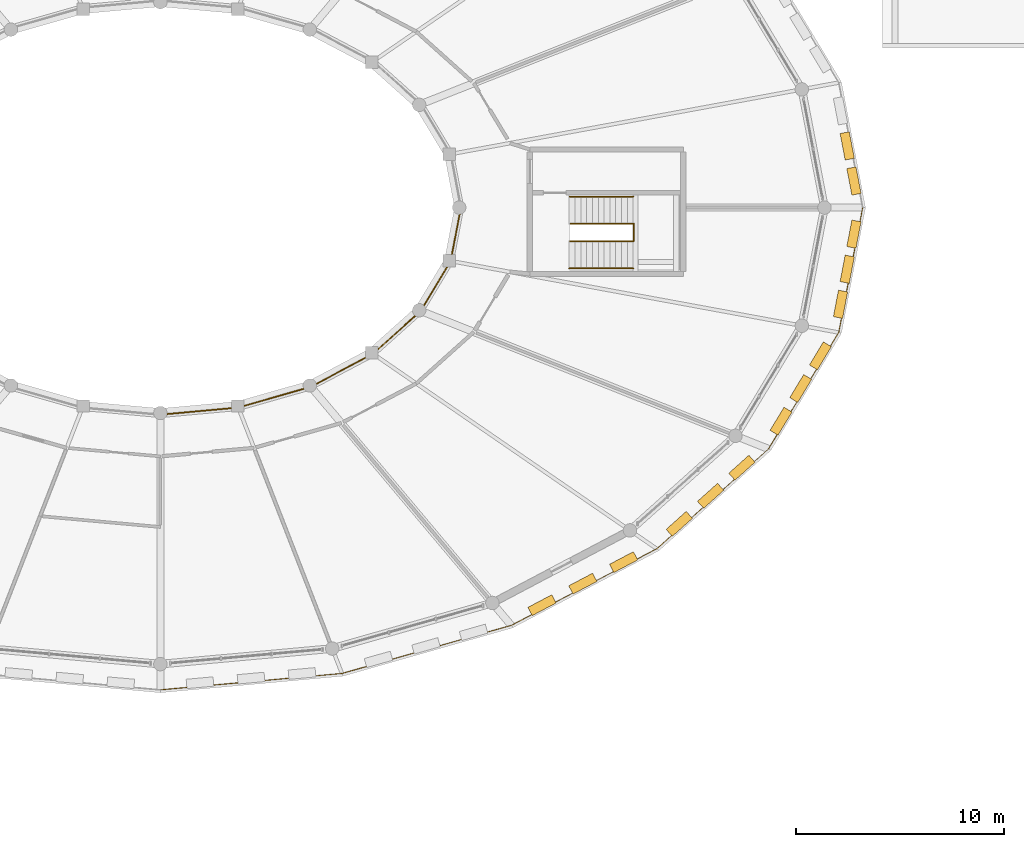
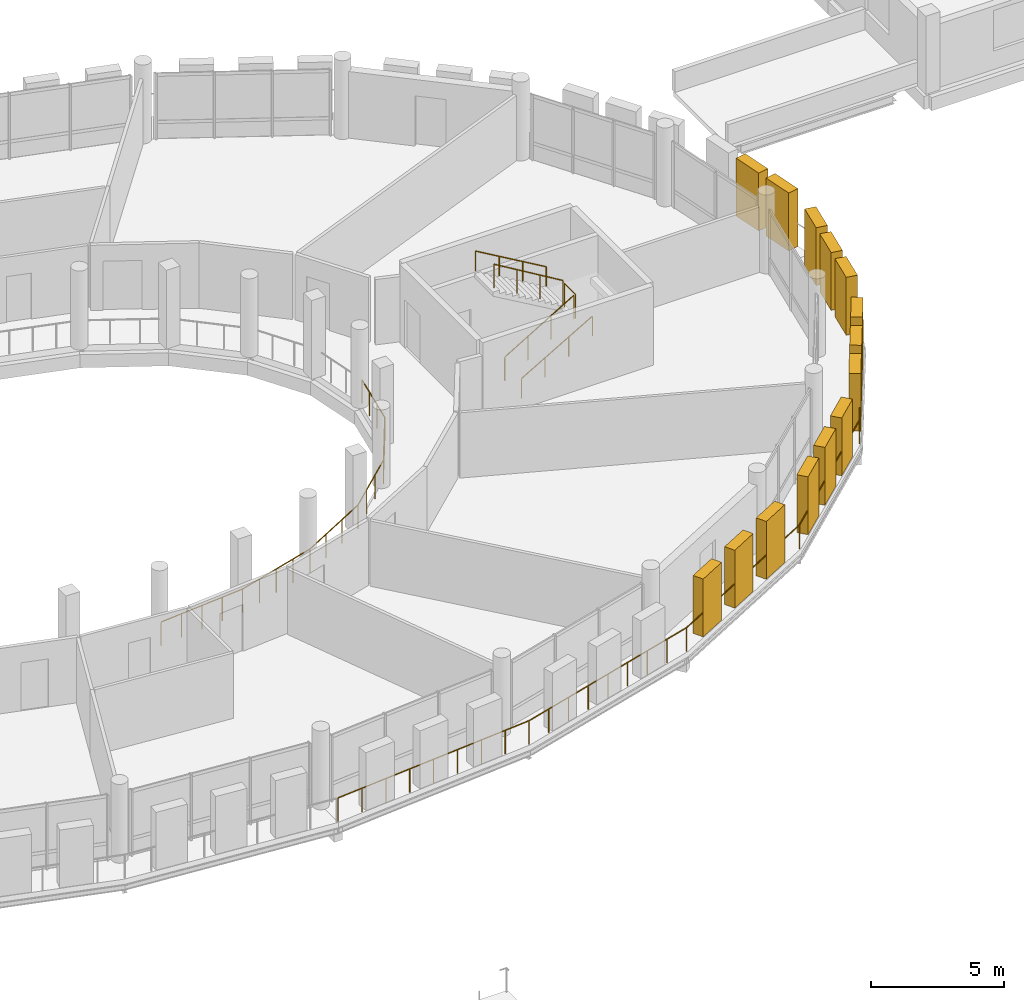
# One storey, part 89 of 93: 14 shading devices, 7 railings.
"""IFC4 building model written with IfcOpenShell, lengths in metres."""

from ifc_helpers import new_model, si_unit, direction, frame, origin, origin_2d, place, context, subcontext, project, spatial, rectangle, circle, extrude, material, type_object, element, save


model = new_model("IFC4")

# Units and contexts
model_context = context("Model", 3, precision=1e-05, world=origin(), true_north=direction((0.0, 1.0)))
body_context = subcontext(model_context, "Body", "Model", "MODEL_VIEW")
ifc_project = project(units=[si_unit("LENGTHUNIT", "METRE"), si_unit("AREAUNIT", "SQUARE_METRE"), si_unit("VOLUMEUNIT", "CUBIC_METRE"), si_unit("PLANEANGLEUNIT", "RADIAN"), si_unit("MASSUNIT", "GRAM", prefix="KILO")], contexts=[model_context])

# Site, building, storey
site_placement = place(None, origin())
site = spatial("IfcSite", under=ifc_project, at=site_placement, CompositionType="ELEMENT")
building_placement = place(site_placement, origin())
building = spatial("IfcBuilding", under=site, at=building_placement, Name="Zornivar Specialist Clinic", CompositionType="ELEMENT")
storey_placement = place(building_placement, frame((0.0, 0.0, 8.39990234375)))
storey = spatial("IfcBuildingStorey", under=building, at=storey_placement, Name="L02", CompositionType="ELEMENT", Elevation=8.39990234375)

# Railings
ifc_material_1 = material(Name="Painted Steel and Oiled Timber Balustrade", Category="steel")
railing_type_1 = type_object("IfcRailingType", Name="GRD-EXT-BALUST-1100", PredefinedType="BALUSTRADE", material=ifc_material_1)
railing_1_placement = place(storey_placement, frame((93.6298828125, 34.343017578125, 0.0)))
element("IfcRailing", 1, at=railing_1_placement, inside=storey, type_object=railing_type_1, Name="rail:V1:L02:balc:q3", PredefinedType="BALUSTRADE", context=body_context, shape_type="SweptSolid", body=[
    extrude(circle(Radius=0.02392578125, at=origin_2d()), frame((0.0, 0.0, 1.076171875), z_axis=(0.995947380316, 0.089937843218, 0.0), x_axis=(-0.089937843218, 0.995947380316, 0.0)), (0.0, 0.0, 1.0), 8.762451171875),
    extrude(circle(Radius=0.02392578125, at=origin_2d()), frame((8.72705078125, 0.7880859375, 1.076171875), z_axis=(0.961950479971, 0.273223853432, 0.0), x_axis=(-0.273223853432, 0.961950479971, 0.0)), (0.0, 0.0, 1.0), 8.487060546875),
    extrude(circle(Radius=0.02392578125, at=origin_2d()), frame((16.89111328125, 3.10693359375, 1.076171875), z_axis=(0.884811989173, 0.465948220101, 0.0), x_axis=(-0.465948220101, 0.884811989173, 0.0)), (0.0, 0.0, 1.0), 7.92822265625),
    extrude(circle(Radius=0.02392578125, at=origin_2d()), frame((23.906005859375, 6.801025390625, 1.076171875), z_axis=(0.745201542332, 0.666839306959, 0.0), x_axis=(-0.666839306959, 0.745201542332, 0.0)), (0.0, 0.0, 1.0), 7.224853515625),
    extrude(circle(Radius=0.02392578125, at=origin_2d()), frame((29.2900390625, 11.618896484375, 1.076171875), z_axis=(0.516422508188, 0.856333926127, 0.0), x_axis=(-0.856333926127, 0.516422508188, 0.0)), (0.0, 0.0, 1.0), 6.5546875),
    extrude(circle(Radius=0.02392578125, at=origin_2d()), frame((32.675048828125, 17.23193359375, 1.076171875), z_axis=(0.188227386656, 0.982125476155, 0.0), x_axis=(-0.982125476155, 0.188227386656, 0.0)), (0.0, 0.0, 1.0), 6.105224609375),
    extrude(circle(Radius=0.02099609375, at=origin_2d()), origin(), (0.0, 0.0, 1.0), 1.052001953125),
    extrude(circle(Radius=0.02099609375, at=origin_2d()), frame((1.0908203125, 0.0986328125, 0.0)), (0.0, 0.0, 1.0), 1.052001953125),
    extrude(circle(Radius=0.02099609375, at=origin_2d()), frame((2.181640625, 0.197021484375, 0.0)), (0.0, 0.0, 1.0), 1.052001953125),
    extrude(circle(Radius=0.02099609375, at=origin_2d()), frame((3.272705078125, 0.29541015625, 0.0)), (0.0, 0.0, 1.0), 1.052001953125),
    extrude(circle(Radius=0.02099609375, at=origin_2d()), frame((4.363525390625, 0.39404296875, 0.0)), (0.0, 0.0, 1.0), 1.052001953125),
    extrude(circle(Radius=0.02099609375, at=origin_2d()), frame((5.454345703125, 0.49267578125, 0.0)), (0.0, 0.0, 1.0), 1.052001953125),
    extrude(circle(Radius=0.02099609375, at=origin_2d()), frame((6.54541015625, 0.591064453125, 0.0)), (0.0, 0.0, 1.0), 1.052001953125),
    extrude(circle(Radius=0.02099609375, at=origin_2d()), frame((7.63623046875, 0.689453125, 0.0)), (0.0, 0.0, 1.0), 1.052001953125),
    extrude(circle(Radius=0.02099609375, at=origin_2d()), frame((8.72705078125, 0.7880859375, 0.0)), (0.0, 0.0, 1.0), 1.052001953125),
    extrude(circle(Radius=0.02099609375, at=origin_2d()), frame((9.74755859375, 1.077880859375, 0.0)), (0.0, 0.0, 1.0), 1.052001953125),
    extrude(circle(Radius=0.02099609375, at=origin_2d()), frame((10.76806640625, 1.36767578125, 0.0)), (0.0, 0.0, 1.0), 1.052001953125),
    extrude(circle(Radius=0.02099609375, at=origin_2d()), frame((11.78857421875, 1.65771484375, 0.0)), (0.0, 0.0, 1.0), 1.052001953125),
    extrude(circle(Radius=0.02099609375, at=origin_2d()), frame((12.80908203125, 1.947509765625, 0.0)), (0.0, 0.0, 1.0), 1.052001953125),
    extrude(circle(Radius=0.02099609375, at=origin_2d()), frame((13.82958984375, 2.2373046875, 0.0)), (0.0, 0.0, 1.0), 1.052001953125),
    extrude(circle(Radius=0.02099609375, at=origin_2d()), frame((14.85009765625, 2.52734375, 0.0)), (0.0, 0.0, 1.0), 1.052001953125),
    extrude(circle(Radius=0.02099609375, at=origin_2d()), frame((15.87060546875, 2.817138671875, 0.0)), (0.0, 0.0, 1.0), 1.052001953125),
    extrude(circle(Radius=0.02099609375, at=origin_2d()), frame((16.89111328125, 3.10693359375, 0.0)), (0.0, 0.0, 1.0), 1.052001953125),
    extrude(circle(Radius=0.02099609375, at=origin_2d()), frame((17.893310546875, 3.634765625, 0.0)), (0.0, 0.0, 1.0), 1.052001953125),
    extrude(circle(Radius=0.02099609375, at=origin_2d()), frame((18.895263671875, 4.162353515625, 0.0)), (0.0, 0.0, 1.0), 1.052001953125),
    extrude(circle(Radius=0.02099609375, at=origin_2d()), frame((19.8974609375, 4.690185546875, 0.0)), (0.0, 0.0, 1.0), 1.052001953125),
    extrude(circle(Radius=0.02099609375, at=origin_2d()), frame((20.899658203125, 5.2177734375, 0.0)), (0.0, 0.0, 1.0), 1.052001953125),
    extrude(circle(Radius=0.02099609375, at=origin_2d()), frame((21.90185546875, 5.74560546875, 0.0)), (0.0, 0.0, 1.0), 1.052001953125),
    extrude(circle(Radius=0.02099609375, at=origin_2d()), frame((22.90380859375, 6.273193359375, 0.0)), (0.0, 0.0, 1.0), 1.052001953125),
    extrude(circle(Radius=0.02099609375, at=origin_2d()), frame((23.906005859375, 6.801025390625, 0.0)), (0.0, 0.0, 1.0), 1.052001953125),
    extrude(circle(Radius=0.02099609375, at=origin_2d()), frame((24.675048828125, 7.4892578125, 0.0)), (0.0, 0.0, 1.0), 1.052001953125),
    extrude(circle(Radius=0.02099609375, at=origin_2d()), frame((25.4443359375, 8.177490234375, 0.0)), (0.0, 0.0, 1.0), 1.052001953125),
    extrude(circle(Radius=0.02099609375, at=origin_2d()), frame((26.21337890625, 8.86572265625, 0.0)), (0.0, 0.0, 1.0), 1.052001953125),
    extrude(circle(Radius=0.02099609375, at=origin_2d()), frame((26.982666015625, 9.55419921875, 0.0)), (0.0, 0.0, 1.0), 1.052001953125),
    extrude(circle(Radius=0.02099609375, at=origin_2d()), frame((27.751708984375, 10.242431640625, 0.0)), (0.0, 0.0, 1.0), 1.052001953125),
    extrude(circle(Radius=0.02099609375, at=origin_2d()), frame((28.52099609375, 10.9306640625, 0.0)), (0.0, 0.0, 1.0), 1.052001953125),
    extrude(circle(Radius=0.02099609375, at=origin_2d()), frame((29.2900390625, 11.618896484375, 0.0)), (0.0, 0.0, 1.0), 1.052001953125),
    extrude(circle(Radius=0.02099609375, at=origin_2d()), frame((29.854248046875, 12.554443359375, 0.0)), (0.0, 0.0, 1.0), 1.052001953125),
    extrude(circle(Radius=0.02099609375, at=origin_2d()), frame((30.41845703125, 13.489990234375, 0.0)), (0.0, 0.0, 1.0), 1.052001953125),
    extrude(circle(Radius=0.02099609375, at=origin_2d()), frame((30.982421875, 14.42529296875, 0.0)), (0.0, 0.0, 1.0), 1.052001953125),
    extrude(circle(Radius=0.02099609375, at=origin_2d()), frame((31.546630859375, 15.36083984375, 0.0)), (0.0, 0.0, 1.0), 1.052001953125),
    extrude(circle(Radius=0.02099609375, at=origin_2d()), frame((32.11083984375, 16.29638671875, 0.0)), (0.0, 0.0, 1.0), 1.052001953125),
    extrude(circle(Radius=0.02099609375, at=origin_2d()), frame((32.675048828125, 17.23193359375, 0.0)), (0.0, 0.0, 1.0), 1.052001953125),
    extrude(circle(Radius=0.02099609375, at=origin_2d()), frame((32.86669921875, 18.231201171875, 0.0)), (0.0, 0.0, 1.0), 1.052001953125),
    extrude(circle(Radius=0.02099609375, at=origin_2d()), frame((33.05810546875, 19.230712890625, 0.0)), (0.0, 0.0, 1.0), 1.052001953125),
    extrude(circle(Radius=0.02099609375, at=origin_2d()), frame((33.24951171875, 20.22998046875, 0.0)), (0.0, 0.0, 1.0), 1.052001953125),
    extrude(circle(Radius=0.02099609375, at=origin_2d()), frame((33.441162109375, 21.229248046875, 0.0)), (0.0, 0.0, 1.0), 1.052001953125),
    extrude(circle(Radius=0.02099609375, at=origin_2d()), frame((33.6328125, 22.228759765625, 0.0)), (0.0, 0.0, 1.0), 1.052001953125),
    extrude(circle(Radius=0.02099609375, at=origin_2d()), frame((33.82421875, 23.22802734375, 0.0)), (0.0, 0.0, 1.0), 1.052001953125),
])
ifc_material_2 = material(Name="Brushed Stainless Steel Stair Guardrail", Category="steel")
railing_type_2 = type_object("IfcRailingType", Name="GRD-INT-STAIR-1100", PredefinedType="GUARDRAIL", material=ifc_material_2)
railing_2_placement = place(storey_placement, frame((113.340087890625, 55.97998046875, 0.162109375)))
element("IfcRailing", 2, at=railing_2_placement, inside=storey, type_object=railing_type_2, Name="stair:C4:L02:grd1", PredefinedType="GUARDRAIL", context=body_context, shape_type="SweptSolid", body=[
    extrude(circle(Radius=0.02392578125, at=origin_2d()), frame((0.0, 0.0, 1.076171875), z_axis=(0.858994273335, 0.0, 0.511985193514), x_axis=(0.0, 1.0, 0.0)), (0.0, 0.0, 1.0), 3.492431640625),
    extrude(circle(Radius=0.02099609375, at=origin_2d()), origin(), (0.0, 0.0, 1.0), 1.052001953125),
    extrude(circle(Radius=0.02099609375, at=origin_2d()), frame((1.0, 0.0, 0.595947265625)), (0.0, 0.0, 1.0), 1.052001953125),
    extrude(circle(Radius=0.02099609375, at=origin_2d()), frame((2.0, 0.0, 1.192138671875)), (0.0, 0.0, 1.0), 1.052001953125),
    extrude(circle(Radius=0.02099609375, at=origin_2d()), frame((3.0, 0.0, 1.7880859375)), (0.0, 0.0, 1.0), 1.052001953125),
])
railing_3_placement = place(storey_placement, frame((116.340087890625, 56.820068359375, 2.112060546875)))
element("IfcRailing", 3, at=railing_3_placement, inside=storey, type_object=railing_type_2, Name="stair:C4:L02:grd2", PredefinedType="GUARDRAIL", context=body_context, shape_type="SweptSolid", body=[
    extrude(circle(Radius=0.02392578125, at=origin_2d()), frame((0.0, 0.0, 1.076171875), z_axis=(-0.857480528274, 0.0, 0.51451641726), x_axis=(0.0, -1.0, 0.0)), (0.0, 0.0, 1.0), 3.475341796875),
    extrude(circle(Radius=0.02099609375, at=origin_2d()), origin(), (0.0, 0.0, 1.0), 1.052001953125),
    extrude(circle(Radius=0.02099609375, at=origin_2d()), frame((-0.993408203125, 0.0, 0.595947265625)), (0.0, 0.0, 1.0), 1.052001953125),
    extrude(circle(Radius=0.02099609375, at=origin_2d()), frame((-1.986572265625, 0.0, 1.192138671875)), (0.0, 0.0, 1.0), 1.052001953125),
    extrude(circle(Radius=0.02099609375, at=origin_2d()), frame((-2.97998046875, 0.0, 1.7880859375)), (0.0, 0.0, 1.0), 1.052001953125),
])
railing_4_placement = place(storey_placement, frame((116.409912109375, 55.97998046875, 1.9501953125)))
element("IfcRailing", 4, at=railing_4_placement, inside=storey, type_object=railing_type_2, Name="stair:C4:L02:grdl", PredefinedType="GUARDRAIL", context=body_context, shape_type="SweptSolid", body=[
    extrude(circle(Radius=0.02392578125, at=origin_2d()), frame((0.0, 0.0, 1.076171875), z_axis=(0.0, 1.0, 0.0), x_axis=(-1.0, 0.0, 0.0)), (0.0, 0.0, 1.0), 0.840087890625),
    extrude(circle(Radius=0.02099609375, at=origin_2d()), origin(), (0.0, 0.0, 1.0), 1.052001953125),
    extrude(circle(Radius=0.02099609375, at=origin_2d()), frame((0.0, 0.840087890625, 0.0)), (0.0, 0.0, 1.0), 1.052001953125),
])
railing_5_placement = place(storey_placement, frame((93.6298828125, 47.623046875, 0.0)))
element("IfcRailing", 5, at=railing_5_placement, inside=storey, type_object=railing_type_2, Name="sg:V1:L02:atrium:q3", PredefinedType="GUARDRAIL", context=body_context, shape_type="SweptSolid", body=[
    extrude(circle(Radius=0.02392578125, at=origin_2d()), frame((0.0, 0.0, 1.076171875), z_axis=(0.995889996682, 0.090571046743, 0.0), x_axis=(-0.090571046743, 0.995889996682, 0.0)), (0.0, 0.0, 1.0), 3.741455078125),
    extrude(circle(Radius=0.02392578125, at=origin_2d()), frame((3.72607421875, 0.3388671875, 1.076171875), z_axis=(0.961191341068, 0.275882594332, 0.0), x_axis=(-0.275882594332, 0.961191341068, 0.0)), (0.0, 0.0, 1.0), 3.63623046875),
    extrude(circle(Radius=0.02392578125, at=origin_2d()), frame((7.22119140625, 1.342041015625, 1.076171875), z_axis=(0.883386720056, 0.468644751202, 0.0), x_axis=(-0.468644751202, 0.883386720056, 0.0)), (0.0, 0.0, 1.0), 3.392333984375),
    extrude(circle(Radius=0.02392578125, at=origin_2d()), frame((10.218017578125, 2.931884765625, 1.076171875), z_axis=(0.74365166795, 0.668567271675, 0.0), x_axis=(-0.668567271675, 0.74365166795, 0.0)), (0.0, 0.0, 1.0), 3.0888671875),
    extrude(circle(Radius=0.02392578125, at=origin_2d()), frame((12.51513671875, 4.9970703125, 1.076171875), z_axis=(0.51464941973, 0.857400708404, 0.0), x_axis=(-0.857400708404, 0.51464941973, 0.0)), (0.0, 0.0, 1.0), 2.8037109375),
    extrude(circle(Radius=0.02392578125, at=origin_2d()), frame((13.9580078125, 7.40087890625, 1.076171875), z_axis=(0.187453881852, 0.982273405004, 0.0), x_axis=(-0.982273405004, 0.187453881852, 0.0)), (0.0, 0.0, 1.0), 2.593017578125),
    extrude(circle(Radius=0.02099609375, at=origin_2d()), origin(), (0.0, 0.0, 1.0), 1.052001953125),
    extrude(circle(Radius=0.02099609375, at=origin_2d()), frame((0.931640625, 0.084716796875, 0.0)), (0.0, 0.0, 1.0), 1.052001953125),
    extrude(circle(Radius=0.02099609375, at=origin_2d()), frame((1.863037109375, 0.16943359375, 0.0)), (0.0, 0.0, 1.0), 1.052001953125),
    extrude(circle(Radius=0.02099609375, at=origin_2d()), frame((2.79443359375, 0.254150390625, 0.0)), (0.0, 0.0, 1.0), 1.052001953125),
    extrude(circle(Radius=0.02099609375, at=origin_2d()), frame((3.72607421875, 0.3388671875, 0.0)), (0.0, 0.0, 1.0), 1.052001953125),
    extrude(circle(Radius=0.02099609375, at=origin_2d()), frame((4.599853515625, 0.589599609375, 0.0)), (0.0, 0.0, 1.0), 1.052001953125),
    extrude(circle(Radius=0.02099609375, at=origin_2d()), frame((5.4736328125, 0.84033203125, 0.0)), (0.0, 0.0, 1.0), 1.052001953125),
    extrude(circle(Radius=0.02099609375, at=origin_2d()), frame((6.347412109375, 1.09130859375, 0.0)), (0.0, 0.0, 1.0), 1.052001953125),
    extrude(circle(Radius=0.02099609375, at=origin_2d()), frame((7.22119140625, 1.342041015625, 0.0)), (0.0, 0.0, 1.0), 1.052001953125),
    extrude(circle(Radius=0.02099609375, at=origin_2d()), frame((8.22021484375, 1.8720703125, 0.0)), (0.0, 0.0, 1.0), 1.052001953125),
    extrude(circle(Radius=0.02099609375, at=origin_2d()), frame((9.218994140625, 2.40185546875, 0.0)), (0.0, 0.0, 1.0), 1.052001953125),
    extrude(circle(Radius=0.02099609375, at=origin_2d()), frame((10.218017578125, 2.931884765625, 0.0)), (0.0, 0.0, 1.0), 1.052001953125),
    extrude(circle(Radius=0.02099609375, at=origin_2d()), frame((10.983642578125, 3.620361328125, 0.0)), (0.0, 0.0, 1.0), 1.052001953125),
    extrude(circle(Radius=0.02099609375, at=origin_2d()), frame((11.74951171875, 4.30859375, 0.0)), (0.0, 0.0, 1.0), 1.052001953125),
    extrude(circle(Radius=0.02099609375, at=origin_2d()), frame((12.51513671875, 4.9970703125, 0.0)), (0.0, 0.0, 1.0), 1.052001953125),
    extrude(circle(Radius=0.02099609375, at=origin_2d()), frame((12.99609375, 5.79833984375, 0.0)), (0.0, 0.0, 1.0), 1.052001953125),
    extrude(circle(Radius=0.02099609375, at=origin_2d()), frame((13.47705078125, 6.599609375, 0.0)), (0.0, 0.0, 1.0), 1.052001953125),
    extrude(circle(Radius=0.02099609375, at=origin_2d()), frame((13.9580078125, 7.40087890625, 0.0)), (0.0, 0.0, 1.0), 1.052001953125),
    extrude(circle(Radius=0.02099609375, at=origin_2d()), frame((14.1201171875, 8.25, 0.0)), (0.0, 0.0, 1.0), 1.052001953125),
    extrude(circle(Radius=0.02099609375, at=origin_2d()), frame((14.281982421875, 9.098876953125, 0.0)), (0.0, 0.0, 1.0), 1.052001953125),
    extrude(circle(Radius=0.02099609375, at=origin_2d()), frame((14.444091796875, 9.947998046875, 0.0)), (0.0, 0.0, 1.0), 1.052001953125),
])
ifc_material_3 = material(Name="Brushed Stainless Steel Continuous Handrail", Category="steel")
railing_type_3 = type_object("IfcRailingType", Name="HRL-STAIR-0920", PredefinedType="HANDRAIL", material=ifc_material_3)
railing_6_placement = place(storey_placement, frame((113.300048828125, 54.669921875, 0.162109375)))
element("IfcRailing", 6, at=railing_6_placement, inside=storey, type_object=railing_type_3, Name="stair:C4:L02:hr1", PredefinedType="HANDRAIL", context=body_context, shape_type="SweptSolid", body=[
    extrude(circle(Radius=0.02392578125, at=origin_2d()), frame((0.0, 0.0, 0.89599609375), z_axis=(0.864813913218, 0.0, 0.502092516877), x_axis=(0.0, 1.0, 0.0)), (0.0, 0.0, 1.0), 3.561279296875),
    extrude(circle(Radius=0.02099609375, at=origin_2d()), origin(), (0.0, 0.0, 1.0), 0.871826171875),
    extrude(circle(Radius=0.02099609375, at=origin_2d()), frame((1.026611328125, 0.0, 0.595947265625)), (0.0, 0.0, 1.0), 0.871826171875),
    extrude(circle(Radius=0.02099609375, at=origin_2d()), frame((2.05322265625, 0.0, 1.192138671875)), (0.0, 0.0, 1.0), 0.871826171875),
    extrude(circle(Radius=0.02099609375, at=origin_2d()), frame((3.079833984375, 0.0, 1.7880859375)), (0.0, 0.0, 1.0), 0.871826171875),
])
railing_7_placement = place(storey_placement, frame((116.3798828125, 58.1298828125, 2.112060546875)))
element("IfcRailing", 7, at=railing_7_placement, inside=storey, type_object=railing_type_3, Name="stair:C4:L02:hr2", PredefinedType="HANDRAIL", context=body_context, shape_type="SweptSolid", body=[
    extrude(circle(Radius=0.02392578125, at=origin_2d()), frame((0.0, 0.0, 0.89599609375), z_axis=(-0.863386364223, 0.0, 0.504543344097), x_axis=(0.0, -1.0, 0.0)), (0.0, 0.0, 1.0), 3.5439453125),
    extrude(circle(Radius=0.02099609375, at=origin_2d()), origin(), (0.0, 0.0, 1.0), 0.871826171875),
    extrude(circle(Radius=0.02099609375, at=origin_2d()), frame((-1.02001953125, 0.0, 0.595947265625)), (0.0, 0.0, 1.0), 0.871826171875),
    extrude(circle(Radius=0.02099609375, at=origin_2d()), frame((-2.039794921875, 0.0, 1.192138671875)), (0.0, 0.0, 1.0), 0.871826171875),
    extrude(circle(Radius=0.02099609375, at=origin_2d()), frame((-3.059814453125, 0.0, 1.7880859375)), (0.0, 0.0, 1.0), 0.871826171875),
])

# Shading devices
ifc_material_4 = material(Name="Oiled European Larch Timber Louvre Shutter", Category="wood")
shading_device_type = type_object("IfcShadingDeviceType", Name="SHD-DRUM-SHUTTER-450", PredefinedType="SHUTTER", material=ifc_material_4)
for number, where, z_axis, x_axis, name in (
    (8, (127.02001953125, 58.881103515625, 0.000244140625), (0.0, 0.0, 1.0), (-0.188098987302, 0.982150075587, 0.0), "shutter:V1:L02:c00:0"),
    (9, (126.696044921875, 60.571044921875, 0.000244140625), (0.0, 0.0, 1.0), (-0.188098987302, 0.982150075587, 0.0), "shutter:V1:L02:c00:1"),
    (10, (111.989013671875, 38.43994140625, 0.000244140625), (0.0, 0.0, 1.0), (0.884469914632, 0.466597224713, 0.0), "shutter:V1:L02:c20:0"),
    (11, (113.9560546875, 39.47802734375, 0.000244140625), (0.0, 0.0, 1.0), (0.884469914632, 0.466597224713, 0.0), "shutter:V1:L02:c20:1"),
    (12, (115.923095703125, 40.51611328125, 0.000244140625), (0.0, 0.0, 1.0), (0.884469914632, 0.466597224713, 0.0), "shutter:V1:L02:c20:2"),
    (13, (118.60400390625, 42.35888671875, 0.000244140625), (0.0, 0.0, 1.0), (0.744796712128, 0.667291433785, 0.0), "shutter:V1:L02:c21:0"),
    (14, (120.114013671875, 43.7109375, 0.000244140625), (0.0, 0.0, 1.0), (0.744796712128, 0.667291433785, 0.0), "shutter:V1:L02:c21:1"),
    (15, (121.623046875, 45.06396484375, 0.000244140625), (0.0, 0.0, 1.0), (0.744796712128, 0.667291433785, 0.0), "shutter:V1:L02:c21:2"),
    (16, (123.507080078125, 47.305908203125, 0.000244140625), (0.0, 0.0, 1.0), (0.516018019467, 0.856577727696, 0.0), "shutter:V1:L02:c22:0"),
    (17, (124.4560546875, 48.881103515625, 0.000244140625), (0.0, 0.0, 1.0), (0.516018019467, 0.856577727696, 0.0), "shutter:V1:L02:c22:1"),
    (18, (125.404052734375, 50.4560546875, 0.000244140625), (0.0, 0.0, 1.0), (0.516018019467, 0.856577727696, 0.0), "shutter:V1:L02:c22:2"),
    (19, (126.373046875, 52.93896484375, 0.000244140625), (0.0, 0.0, 1.0), (0.188098987302, 0.982150075587, 0.0), "shutter:V1:L02:c23:0"),
    (20, (126.696044921875, 54.62890625, 0.000244140625), (0.0, 0.0, 1.0), (0.188098987302, 0.982150075587, 0.0), "shutter:V1:L02:c23:1"),
    (21, (127.02001953125, 56.319091796875, 0.000244140625), (0.0, 0.0, 1.0), (0.188098987302, 0.982150075587, 0.0), "shutter:V1:L02:c23:2"),
):
    element("IfcShadingDevice", number, at=place(storey_placement, frame(where, z_axis=z_axis, x_axis=x_axis)), inside=storey, type_object=shading_device_type, Name=name, PredefinedType="SHUTTER", context=body_context, shape_type="SweptSolid", body=[
        extrude(rectangle(XDim=1.300048828125, YDim=0.449951171875, at=origin_2d()), origin(), (0.0, 0.0, 1.0), 2.64990234375),
    ])

save(model, "model.ifc")
